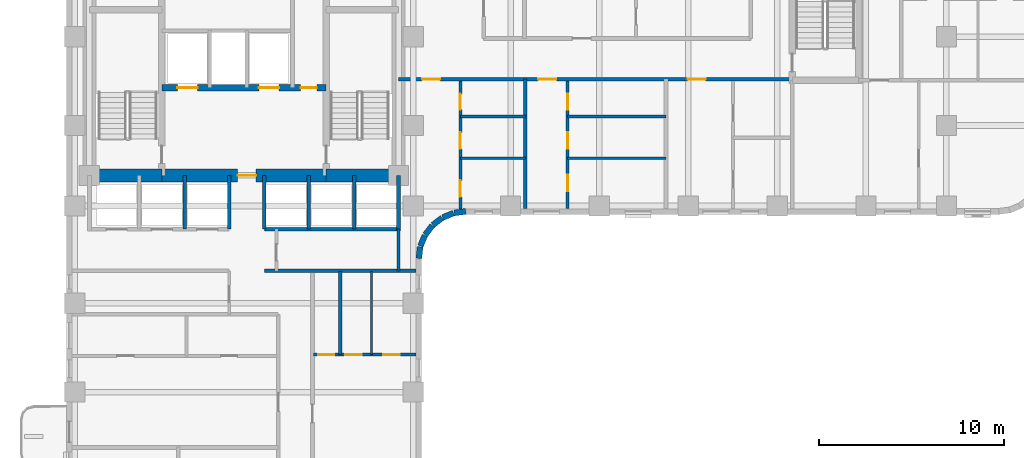
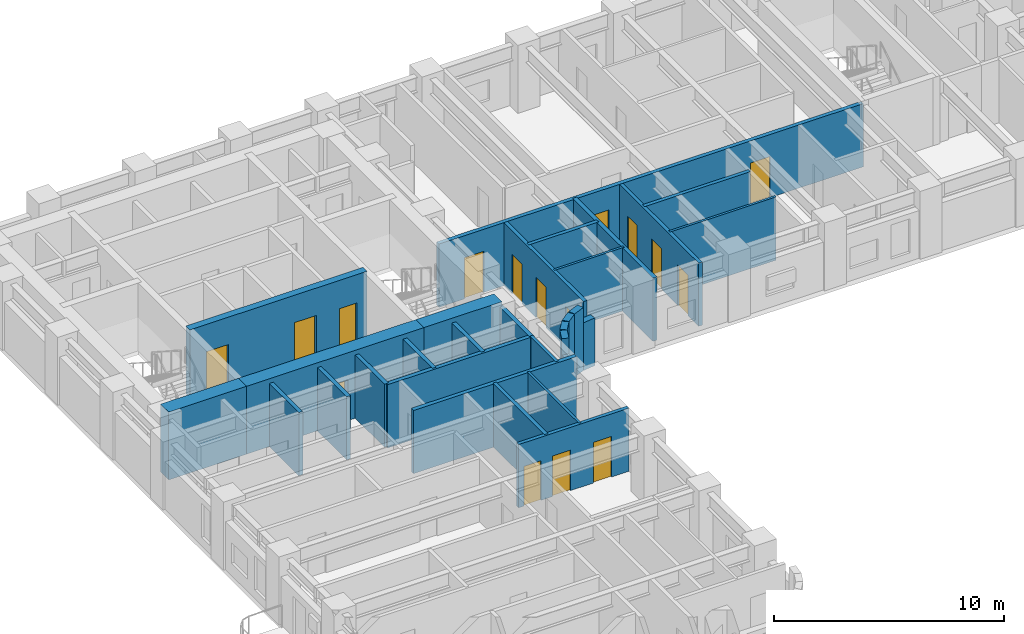
# One storey, part 4 of 11: 30 walls, 16 doors, 16 openings.
"""IFC4 building model written with IfcOpenShell, lengths in metres."""

from ifc_helpers import new_model, si_unit, direction, frame, frame_2d, origin, place, context, subcontext, project, spatial, rectangle, extrude, material, layer, layer_set, type_object, element, fill, save


model = new_model("IFC4")

# Units and contexts
model_context = context("Model", 3, precision=1e-05, world=origin(), true_north=direction((0.0, 1.0)))
body_context = subcontext(model_context, "Body", "Model", "MODEL_VIEW")
ifc_project = project(units=[si_unit("LENGTHUNIT", "METRE"), si_unit("AREAUNIT", "SQUARE_METRE"), si_unit("VOLUMEUNIT", "CUBIC_METRE"), si_unit("PLANEANGLEUNIT", "RADIAN"), si_unit("MASSUNIT", "GRAM", prefix="KILO")], contexts=[model_context])

# Site, building, storey
site_placement = place(None, origin())
site = spatial("IfcSite", under=ifc_project, at=site_placement, CompositionType="ELEMENT")
building_placement = place(site_placement, origin())
building = spatial("IfcBuilding", under=site, at=building_placement, Name="Orvandelia Arch Residences", CompositionType="ELEMENT")
storey_placement = place(building_placement, frame((0.0, 0.0, 46.60009765625)))
storey = spatial("IfcBuildingStorey", under=building, at=storey_placement, Name="L11", CompositionType="ELEMENT", Elevation=46.60009765625)

# Wall, openings, doors
ifc_material_1 = material(Name="Concrete C50/60", Category="concrete")
ifc_layer_1 = layer(ifc_material_1, 0.35009765625, Name="Concrete C50/60", Category="concrete")
ifc_layer_set_1 = layer_set([ifc_layer_1], Name="Concrete C50/60")
wall_type_1 = type_object("IfcWallType", Name="WL-CORE-350", PredefinedType="SHEAR", material=ifc_layer_set_1)
wall_1_placement = place(storey_placement, frame((9.9599609375, 35.64990234375, 0.0), z_axis=(0.0, 0.0, 1.0), x_axis=(1.0, 0.0, 0.0)))
wall_1 = element("IfcWall", 1, at=wall_1_placement, inside=storey, type_object=wall_type_1, Name="Core Shear Wall L11-HZ3", PredefinedType="SHEAR", context=body_context, shape_type="SweptSolid", body=[
    extrude(rectangle(XDim=8.880126953125, YDim=0.35009765625, at=frame_2d((4.43994140625, 0.0))), origin(), (0.0, 0.0, 1.0), 3.599853515625),
])
opening_1_placement = place(wall_1_placement, frame((0.840087890625, 0.0, 0.0)))
opening_1 = element("IfcOpeningElement", 2, at=opening_1_placement, cuts=wall_1, Name="Opening FLD", PredefinedType="OPENING", context=body_context, shape_type="SweptSolid", body=[
    extrude(rectangle(XDim=1.10009765625, YDim=2.14990234375, at=frame_2d((0.550048828125, 1.074951171875))), frame((0.0, 0.18505859375, 0.0), z_axis=(0.0, -1.0, 0.0), x_axis=(1.0, 0.0, 0.0)), (0.0, 0.0, 1.0), 0.3701171875),
])
opening_2_placement = place(wall_1_placement, frame((5.239990234375, 0.0, 0.0)))
opening_2 = element("IfcOpeningElement", 3, at=opening_2_placement, cuts=wall_1, Name="Opening FLD", PredefinedType="OPENING", context=body_context, shape_type="SweptSolid", body=[
    extrude(rectangle(XDim=1.10009765625, YDim=2.14990234375, at=frame_2d((0.550048828125, 1.074951171875))), frame((0.0, 0.18505859375, 0.0), z_axis=(0.0, -1.0, 0.0), x_axis=(1.0, 0.0, 0.0)), (0.0, 0.0, 1.0), 0.3701171875),
])
opening_3_placement = place(wall_1_placement, frame((7.5, 0.0, 0.0)))
opening_3 = element("IfcOpeningElement", 4, at=opening_3_placement, cuts=wall_1, Name="Opening D5", PredefinedType="OPENING", context=body_context, shape_type="SweptSolid", body=[
    extrude(rectangle(XDim=0.8798828125, YDim=2.10009765625, at=frame_2d((0.43994140625, 1.050048828125))), frame((0.0, 0.18505859375, 0.0), z_axis=(0.0, -1.0, 0.0), x_axis=(1.0, 0.0, 0.0)), (0.0, 0.0, 1.0), 0.3701171875),
])
ifc_material_2 = material(Name="Firefighting Lift Stainless Sliding Door")
door_type_1 = type_object("IfcDoorType", Name="DR-FLFT-1100", OperationType="NOTDEFINED", PredefinedType="DOOR", material=ifc_material_2)
door_1_placement = place(opening_1_placement, origin())
door_1 = element("IfcDoor", 5, at=door_1_placement, inside=storey, type_object=door_type_1, Name="Firefighting Lift Landing Door FLD-FL1-L11", OperationType="SLIDING_TO_LEFT", OverallHeight=2.14990234375, OverallWidth=1.10009765625, PredefinedType="DOOR", context=body_context, shape_type="SweptSolid", body=[
    extrude(rectangle(XDim=1.10009765625, YDim=2.14990234375, at=frame_2d((0.550048828125, 1.074951171875))), frame((0.0, 0.02490234375, 0.0), z_axis=(0.0, -1.0, 0.0), x_axis=(1.0, 0.0, 0.0)), (0.0, 0.0, 1.0), 0.050048828125),
])
fill(opening_1, door_1)
door_2_placement = place(opening_2_placement, origin())
door_2 = element("IfcDoor", 6, at=door_2_placement, inside=storey, type_object=door_type_1, Name="Firefighting Lift Landing Door FLD-FL2-L11", OperationType="SLIDING_TO_RIGHT", OverallHeight=2.14990234375, OverallWidth=1.10009765625, PredefinedType="DOOR", context=body_context, shape_type="SweptSolid", body=[
    extrude(rectangle(XDim=1.10009765625, YDim=2.14990234375, at=frame_2d((0.550048828125, 1.074951171875))), frame((0.0, 0.02490234375, 0.0), z_axis=(0.0, -1.0, 0.0), x_axis=(1.0, 0.0, 0.0)), (0.0, 0.0, 1.0), 0.050048828125),
])
fill(opening_2, door_2)
ifc_material_3 = material(Name="Painted Galvanised Steel Service Door", Category="steel")
door_type_2 = type_object("IfcDoorType", Name="DR-SRV-880", OperationType="NOTDEFINED", PredefinedType="DOOR", material=ifc_material_3)
door_3_placement = place(opening_3_placement, origin())
door_3 = element("IfcDoor", 7, at=door_3_placement, inside=storey, type_object=door_type_2, Name="Core Stairway Passage South Fire Door L11", OperationType="SINGLE_SWING_LEFT", OverallHeight=2.10009765625, OverallWidth=0.8798828125, PredefinedType="DOOR", context=body_context, shape_type="SweptSolid", body=[
    extrude(rectangle(XDim=0.8798828125, YDim=2.10009765625, at=frame_2d((0.43994140625, 1.050048828125))), frame((0.0, 0.02490234375, 0.0), z_axis=(0.0, -1.0, 0.0), x_axis=(1.0, 0.0, 0.0)), (0.0, 0.0, 1.0), 0.050048828125),
])
fill(opening_3, door_3)

# Wall
ifc_material_4 = material(Name="Concrete C80/95", Category="concrete")
ifc_layer_2 = layer(ifc_material_4, 0.699951171875, Name="Concrete C80/95", Category="concrete")
ifc_layer_set_2 = layer_set([ifc_layer_2], Name="Concrete C80/95")
wall_type_2 = type_object("IfcWallType", Name="WL-CORE-700", PredefinedType="SHEAR", material=ifc_layer_set_2)
wall_2_placement = place(storey_placement, frame((6.050048828125, 30.89990234375, 0.0), z_axis=(0.0, 0.0, 1.0), x_axis=(1.0, 0.0, 0.0)))
element("IfcWall", 8, at=wall_2_placement, inside=storey, type_object=wall_type_2, Name="Core Shear Wall L11-SW", PredefinedType="SHEAR", context=body_context, shape_type="SweptSolid", body=[
    extrude(rectangle(XDim=3.909912109375, YDim=0.699951171875, at=frame_2d((1.955078125, 0.0))), origin(), (0.0, 0.0, 1.0), 3.599853515625),
])

# Wall, opening, door
wall_3_placement = place(storey_placement, frame((9.9599609375, 30.89990234375, 0.0), z_axis=(0.0, 0.0, 1.0), x_axis=(1.0, 0.0, 0.0)))
wall_3 = element("IfcWall", 9, at=wall_3_placement, inside=storey, type_object=wall_type_2, Name="Core Shear Wall L11-SM", PredefinedType="SHEAR", context=body_context, shape_type="SweptSolid", body=[
    extrude(rectangle(XDim=8.880126953125, YDim=0.699951171875, at=frame_2d((4.43994140625, 0.0))), origin(), (0.0, 0.0, 1.0), 3.599853515625),
])
opening_4_placement = place(wall_3_placement, frame((4.090087890625, 0.0, 0.0)))
opening_4 = element("IfcOpeningElement", 10, at=opening_4_placement, cuts=wall_3, Name="Opening D6", PredefinedType="OPENING", context=body_context, shape_type="SweptSolid", body=[
    extrude(rectangle(XDim=1.0, YDim=2.14990234375, at=frame_2d((0.5, 1.074951171875))), frame((0.0, 0.35986328125, 0.0), z_axis=(0.0, -1.0, 0.0), x_axis=(1.0, 0.0, 0.0)), (0.0, 0.0, 1.0), 0.719970703125),
])
ifc_material_5 = material(Name="Smokeproof Painted Steel Fire Door", Category="steel")
door_type_3 = type_object("IfcDoorType", Name="DR-FD60-1000", OperationType="NOTDEFINED", PredefinedType="DOOR", material=ifc_material_5)
door_4_placement = place(opening_4_placement, origin())
door_4 = element("IfcDoor", 11, at=door_4_placement, inside=storey, type_object=door_type_3, Name="Firefighting Lobby Smokeproof Door L11", OperationType="SINGLE_SWING_LEFT", OverallHeight=2.14990234375, OverallWidth=1.0, PredefinedType="DOOR", context=body_context, shape_type="SweptSolid", body=[
    extrude(rectangle(XDim=1.0, YDim=2.14990234375, at=frame_2d((0.5, 1.074951171875))), frame((0.0, 0.02490234375, 0.0), z_axis=(0.0, -1.0, 0.0), x_axis=(1.0, 0.0, 0.0)), (0.0, 0.0, 1.0), 0.050048828125),
])
fill(opening_4, door_4)

# Walls
wall_4_placement = place(storey_placement, frame((18.840087890625, 30.89990234375, 0.0), z_axis=(0.0, 0.0, 1.0), x_axis=(1.0, 0.0, 0.0)))
element("IfcWall", 12, at=wall_4_placement, inside=storey, type_object=wall_type_2, Name="Core Shear Wall L11-SE", PredefinedType="SHEAR", context=body_context, shape_type="SweptSolid", body=[
    extrude(rectangle(XDim=3.909912109375, YDim=0.699951171875, at=frame_2d((1.955078125, 0.0))), origin(), (0.0, 0.0, 1.0), 3.599853515625),
])
ifc_material_6 = material(Name="Fire-Rated Corridor Partition")
ifc_layer_3 = layer(ifc_material_6, 0.199951171875, Name="Fire-Rated Corridor Partition")
ifc_layer_set_3 = layer_set([ifc_layer_3], Name="Fire-Rated Corridor Partition")
wall_type_3 = type_object("IfcWallType", Name="WL-CORR-200", PredefinedType="PARTITIONING", material=ifc_layer_set_3)
wall_5_placement = place(storey_placement, frame((15.5, 25.75, 0.0), z_axis=(0.0, 0.0, 1.0), x_axis=(1.0, 0.0, 0.0)))
element("IfcWall", 13, at=wall_5_placement, inside=storey, type_object=wall_type_3, Name="Interior Partition Wall WL-L11-WLNK-NE", PredefinedType="PARTITIONING", context=body_context, shape_type="SweptSolid", body=[
    extrude(rectangle(XDim=8.179931640625, YDim=0.199951171875, at=frame_2d((4.08984375, 0.0))), origin(), (0.0, 0.0, 1.0), 3.349853515625),
])

# Wall, openings, doors
wall_6_placement = place(storey_placement, frame((22.75, 36.10009765625, 0.0), z_axis=(0.0, 0.0, 1.0), x_axis=(1.0, 0.0, 0.0)))
wall_6 = element("IfcWall", 14, at=wall_6_placement, inside=storey, type_object=wall_type_3, Name="Interior Partition Wall WL-L11-EM-S1", PredefinedType="PARTITIONING", context=body_context, shape_type="SweptSolid", body=[
    extrude(rectangle(XDim=21.27001953125, YDim=0.199951171875, at=frame_2d((10.635009765625, 0.0))), origin(), (0.0, 0.0, 1.0), 3.349853515625),
])
opening_5_placement = place(wall_6_placement, frame((1.271484375, 0.0, 0.0)))
opening_5 = element("IfcOpeningElement", 15, at=opening_5_placement, cuts=wall_6, Name="Opening D1", PredefinedType="OPENING", context=body_context, shape_type="SweptSolid", body=[
    extrude(rectangle(XDim=0.97998046875, YDim=2.179931640625, at=frame_2d((0.489990234375, 1.08984375))), frame((0.0, 0.10986328125, 0.0), z_axis=(0.0, -1.0, 0.0), x_axis=(1.0, 0.0, 0.0)), (0.0, 0.0, 1.0), 0.219970703125),
])
opening_6_placement = place(wall_6_placement, frame((7.5400390625, 0.0, 0.0)))
opening_6 = element("IfcOpeningElement", 16, at=opening_6_placement, cuts=wall_6, Name="Opening D1", PredefinedType="OPENING", context=body_context, shape_type="SweptSolid", body=[
    extrude(rectangle(XDim=0.97998046875, YDim=2.179931640625, at=frame_2d((0.489990234375, 1.08984375))), frame((0.0, 0.10986328125, 0.0), z_axis=(0.0, -1.0, 0.0), x_axis=(1.0, 0.0, 0.0)), (0.0, 0.0, 1.0), 0.219970703125),
])
opening_7_placement = place(wall_6_placement, frame((15.614501953125, 0.0, 0.0)))
opening_7 = element("IfcOpeningElement", 17, at=opening_7_placement, cuts=wall_6, Name="Opening D1", PredefinedType="OPENING", context=body_context, shape_type="SweptSolid", body=[
    extrude(rectangle(XDim=0.97998046875, YDim=2.179931640625, at=frame_2d((0.489990234375, 1.08984375))), frame((0.0, 0.10986328125, 0.0), z_axis=(0.0, -1.0, 0.0), x_axis=(1.0, 0.0, 0.0)), (0.0, 0.0, 1.0), 0.219970703125),
])
ifc_material_7 = material(Name="Solid-Core Timber Acoustic Fire Door", Category="wood")
door_type_4 = type_object("IfcDoorType", Name="DR-ENT-980", OperationType="NOTDEFINED", PredefinedType="DOOR", material=ifc_material_7)
door_5_placement = place(opening_5_placement, origin())
door_5 = element("IfcDoor", 18, at=door_5_placement, inside=storey, type_object=door_type_4, Name="Unit L11-06 Entrance Door", OperationType="SINGLE_SWING_RIGHT", OverallHeight=2.179931640625, OverallWidth=0.97998046875, PredefinedType="DOOR", context=body_context, shape_type="SweptSolid", body=[
    extrude(rectangle(XDim=0.97998046875, YDim=2.179931640625, at=frame_2d((0.489990234375, 1.08984375))), frame((0.0, 0.02490234375, 0.0), z_axis=(0.0, -1.0, 0.0), x_axis=(1.0, 0.0, 0.0)), (0.0, 0.0, 1.0), 0.050048828125),
])
fill(opening_5, door_5)
door_6_placement = place(opening_6_placement, origin())
door_6 = element("IfcDoor", 19, at=door_6_placement, inside=storey, type_object=door_type_4, Name="Unit L11-07 Entrance Door", OperationType="SINGLE_SWING_LEFT", OverallHeight=2.179931640625, OverallWidth=0.97998046875, PredefinedType="DOOR", context=body_context, shape_type="SweptSolid", body=[
    extrude(rectangle(XDim=0.97998046875, YDim=2.179931640625, at=frame_2d((0.489990234375, 1.08984375))), frame((0.0, 0.02490234375, 0.0), z_axis=(0.0, -1.0, 0.0), x_axis=(1.0, 0.0, 0.0)), (0.0, 0.0, 1.0), 0.050048828125),
])
fill(opening_6, door_6)
door_7_placement = place(opening_7_placement, origin())
door_7 = element("IfcDoor", 20, at=door_7_placement, inside=storey, type_object=door_type_4, Name="Unit L11-08 Entrance Door", OperationType="SINGLE_SWING_RIGHT", OverallHeight=2.179931640625, OverallWidth=0.97998046875, PredefinedType="DOOR", context=body_context, shape_type="SweptSolid", body=[
    extrude(rectangle(XDim=0.97998046875, YDim=2.179931640625, at=frame_2d((0.489990234375, 1.08984375))), frame((0.0, 0.02490234375, 0.0), z_axis=(0.0, -1.0, 0.0), x_axis=(1.0, 0.0, 0.0)), (0.0, 0.0, 1.0), 0.050048828125),
])
fill(opening_7, door_7)

# Walls
ifc_material_8 = material(Name="Concrete C40/50", Category="concrete")
ifc_layer_4 = layer(ifc_material_8, 0.199951171875, Name="Concrete C40/50", Category="concrete")
ifc_layer_set_4 = layer_set([ifc_layer_4], Name="Concrete C40/50")
wall_type_4 = type_object("IfcWallType", Name="WL-DEM-200", PredefinedType="SOLIDWALL", material=ifc_layer_set_4)
wall_7_placement = place(storey_placement, frame((29.60009765625, 29.1201171875, 0.0), z_axis=(0.0, 0.0, 1.0), x_axis=(0.0, 1.0, 0.0)))
element("IfcWall", 21, at=wall_7_placement, inside=storey, type_object=wall_type_4, Name="Interior Partition Wall WL-L11-DEM-EMS-296", PredefinedType="SOLIDWALL", context=body_context, shape_type="SweptSolid", body=[
    extrude(rectangle(XDim=6.97998046875, YDim=0.199951171875, at=frame_2d((3.489990234375, 0.0))), origin(), (0.0, 0.0, 1.0), 3.349853515625),
])
ifc_material_9 = material(Name="Precast concrete C40/50", Category="concrete")
ifc_layer_5 = layer(ifc_material_9, 0.320068359375, Name="Precast concrete C40/50", Category="concrete")
ifc_layer_set_5 = layer_set([ifc_layer_5], Name="Precast concrete C40/50")
wall_type_5 = type_object("IfcWallType", Name="WL-EXT-STONE-320", PredefinedType="STANDARD", material=ifc_layer_set_5)
wall_8_placement = place(storey_placement, frame((26.379150390625, 28.95849609375, 0.0), z_axis=(0.0, 0.0, 1.0), x_axis=(-0.991447664465, -0.130504898859, 0.0)))
element("IfcWall", 22, at=wall_8_placement, inside=storey, type_object=wall_type_5, Name="Coral-Limestone Precast Facade Wall L11-022", PredefinedType="STANDARD", context=body_context, shape_type="SweptSolid", body=[
    extrude(rectangle(XDim=0.626708984375, YDim=0.320068359375, at=frame_2d((0.3134765625, 0.0))), origin(), (0.0, 0.0, 1.0), 2.52978515625),
])
wall_9_placement = place(storey_placement, frame((25.717529296875, 28.865966796875, 0.0), z_axis=(0.0, 0.0, 1.0), x_axis=(-0.923836271867, -0.382787856107, 0.0)))
element("IfcWall", 23, at=wall_9_placement, inside=storey, type_object=wall_type_5, Name="Coral-Limestone Precast Facade Wall L11-023", PredefinedType="STANDARD", context=body_context, shape_type="SweptSolid", body=[
    extrude(rectangle(XDim=0.626220703125, YDim=0.320068359375, at=frame_2d((0.31298828125, 0.0))), origin(), (0.0, 0.0, 1.0), 3.349853515625),
])
for number, where, z_axis, x_axis, name in (
    (24, (25.1025390625, 28.60546875, 0.0), (0.0, 0.0, 1.0), (-0.793405610854, -0.608693302629, 0.0), "Coral-Limestone Precast Facade Wall L11-024"),
    (25, (24.575927734375, 28.194580078125, 0.0), (0.0, 0.0, 1.0), (-0.608693302629, -0.793405610854, 0.0), "Coral-Limestone Precast Facade Wall L11-025"),
):
    element("IfcWall", number, at=place(storey_placement, frame(where, z_axis=z_axis, x_axis=x_axis)), inside=storey, type_object=wall_type_5, Name=name, PredefinedType="STANDARD", context=body_context, shape_type="SweptSolid", body=[
        extrude(rectangle(XDim=0.62646484375, YDim=0.320068359375, at=frame_2d((0.313232421875, 0.0))), origin(), (0.0, 0.0, 1.0), 3.349853515625),
    ])
wall_10_placement = place(storey_placement, frame((24.173583984375, 27.6611328125, 0.0), z_axis=(0.0, 0.0, 1.0), x_axis=(-0.382455093999, -0.923974080304, 0.0)))
element("IfcWall", 26, at=wall_10_placement, inside=storey, type_object=wall_type_5, Name="Coral-Limestone Precast Facade Wall L11-026", PredefinedType="STANDARD", context=body_context, shape_type="SweptSolid", body=[
    extrude(rectangle(XDim=0.626220703125, YDim=0.320068359375, at=frame_2d((0.31298828125, 0.0))), origin(), (0.0, 0.0, 1.0), 3.349853515625),
])
wall_11_placement = place(storey_placement, frame((23.923095703125, 27.0419921875, 0.0), z_axis=(0.0, 0.0, 1.0), x_axis=(-0.130555323746, -0.9914410257, 0.0)))
element("IfcWall", 27, at=wall_11_placement, inside=storey, type_object=wall_type_5, Name="Coral-Limestone Precast Facade Wall L11-027", PredefinedType="STANDARD", context=body_context, shape_type="SweptSolid", body=[
    extrude(rectangle(XDim=0.62646484375, YDim=0.320068359375, at=frame_2d((0.313232421875, 0.0))), origin(), (0.0, 0.0, 1.0), 2.52978515625),
])
ifc_material_10 = material(Name="Lightweight Gypsum Stud Partition")
ifc_layer_6 = layer(ifc_material_10, 0.1201171875, Name="Lightweight Gypsum Stud Partition")
ifc_layer_set_6 = layer_set([ifc_layer_6], Name="Lightweight Gypsum Stud Partition")
wall_type_6 = type_object("IfcWallType", Name="WL-PART-120", PredefinedType="PARTITIONING", material=ifc_layer_set_6)
wall_12_placement = place(storey_placement, frame((21.284912109375, 21.22412109375, 0.0), z_axis=(0.0, 0.0, 1.0), x_axis=(0.0, 1.0, 0.0)))
element("IfcWall", 28, at=wall_12_placement, inside=storey, type_object=wall_type_6, Name="Interior Partition Wall WL-L11-U05-V2", PredefinedType="PARTITIONING", context=body_context, shape_type="SweptSolid", body=[
    extrude(rectangle(XDim=4.495849609375, YDim=0.1201171875, at=frame_2d((2.248046875, 0.0))), origin(), (0.0, 0.0, 1.0), 3.349853515625),
])
wall_13_placement = place(storey_placement, frame((26.093017578125, 31.8359375, 0.0), z_axis=(0.0, 0.0, 1.0), x_axis=(1.0, 0.0, 0.0)))
element("IfcWall", 29, at=wall_13_placement, inside=storey, type_object=wall_type_6, Name="Interior Partition Wall WL-L11-U06-H1", PredefinedType="PARTITIONING", context=body_context, shape_type="SweptSolid", body=[
    extrude(rectangle(XDim=3.507080078125, YDim=0.1201171875, at=frame_2d((1.75341796875, 0.0))), origin(), (0.0, 0.0, 1.0), 3.349853515625),
])
wall_14_placement = place(storey_placement, frame((31.8798828125, 31.8359375, 0.0), z_axis=(0.0, 0.0, 1.0), x_axis=(1.0, 0.0, 0.0)))
element("IfcWall", 30, at=wall_14_placement, inside=storey, type_object=wall_type_6, Name="Interior Partition Wall WL-L11-U07-H1", PredefinedType="PARTITIONING", context=body_context, shape_type="SweptSolid", body=[
    extrude(rectangle(XDim=5.320068359375, YDim=0.1201171875, at=frame_2d((2.66015625, 0.0))), origin(), (0.0, 0.0, 1.0), 3.349853515625),
])
ifc_material_11 = material(Name="Acoustic Gypsum Stud Partition")
ifc_layer_7 = layer(ifc_material_11, 0.14990234375, Name="Acoustic Gypsum Stud Partition")
ifc_layer_set_7 = layer_set([ifc_layer_7], Name="Acoustic Gypsum Stud Partition")
wall_type_7 = type_object("IfcWallType", Name="WL-PART-150", PredefinedType="PARTITIONING", material=ifc_layer_set_7)
wall_15_placement = place(storey_placement, frame((22.75, 25.75, 0.0), z_axis=(0.0, 0.0, 1.0), x_axis=(0.0, 1.0, 0.0)))
element("IfcWall", 31, at=wall_15_placement, inside=storey, type_object=wall_type_7, Name="Interior Partition Wall WL-L11-HLS-EE", PredefinedType="PARTITIONING", context=body_context, shape_type="SweptSolid", body=[
    extrude(rectangle(XDim=2.25, YDim=0.14990234375, at=frame_2d((1.125, 0.0))), origin(), (0.0, 0.0, 1.0), 3.349853515625),
])
ifc_material_12 = material(Name="Fire-Rated Shaft Enclosure Wall")
ifc_layer_8 = layer(ifc_material_12, 0.199951171875, Name="Fire-Rated Shaft Enclosure Wall")
ifc_layer_set_8 = layer_set([ifc_layer_8], Name="Fire-Rated Shaft Enclosure Wall")
wall_type_8 = type_object("IfcWallType", Name="WL-SHAFT-200", PredefinedType="POLYGONAL", material=ifc_layer_set_8)
wall_16_placement = place(storey_placement, frame((15.5, 28.0, 0.0), z_axis=(0.0, 0.0, 1.0), x_axis=(1.0, 0.0, 0.0)))
element("IfcWall", 32, at=wall_16_placement, inside=storey, type_object=wall_type_8, Name="Interior Partition Wall WL-L11-BNKM-S", PredefinedType="POLYGONAL", context=body_context, shape_type="SweptSolid", body=[
    extrude(rectangle(XDim=7.25, YDim=0.199951171875, at=frame_2d((3.625, 0.0))), origin(), (0.0, 0.0, 1.0), 3.349853515625),
])
wall_17_placement = place(storey_placement, frame((22.75, 27.89990234375, 0.0), z_axis=(0.0, 0.0, 1.0), x_axis=(0.0, 1.0, 0.0)))
element("IfcWall", 33, at=wall_17_placement, inside=storey, type_object=wall_type_8, Name="Interior Partition Wall WL-L11-BNKM-E", PredefinedType="POLYGONAL", context=body_context, shape_type="SweptSolid", body=[
    extrude(rectangle(XDim=3.0, YDim=0.199951171875, at=frame_2d((1.5, 0.0))), origin(), (0.0, 0.0, 1.0), 3.349853515625),
])
for number, where, z_axis, x_axis, name in (
    (34, (13.60009765625, 28.0, 0.0), (0.0, 0.0, 1.0), (0.0, 1.0, 0.0), "Interior Partition Wall WL-L11-BNKL-E"),
    (35, (15.5, 28.0, 0.0), (0.0, 0.0, 1.0), (0.0, 1.0, 0.0), "Interior Partition Wall WL-L11-BNKM-W"),
    (36, (11.199951171875, 28.0, 0.0), (0.0, 0.0, 1.0), (0.0, 1.0, 0.0), "Interior Partition Wall WL-L11-BNKD-1120"),
    (37, (17.89990234375, 28.0, 0.0), (0.0, 0.0, 1.0), (0.0, 1.0, 0.0), "Interior Partition Wall WL-L11-BNKD-1789"),
    (38, (20.35009765625, 28.0, 0.0), (0.0, 0.0, 1.0), (0.0, 1.0, 0.0), "Interior Partition Wall WL-L11-BNKD-2035"),
):
    element("IfcWall", number, at=place(storey_placement, frame(where, z_axis=z_axis, x_axis=x_axis)), inside=storey, type_object=wall_type_8, Name=name, PredefinedType="POLYGONAL", context=body_context, shape_type="SweptSolid", body=[
        extrude(rectangle(XDim=2.89990234375, YDim=0.199951171875, at=frame_2d((1.449951171875, 0.0))), origin(), (0.0, 0.0, 1.0), 3.349853515625),
    ])

# Wall, openings, doors
ifc_material_13 = material(Name="Moisture-Resistant Plumbing Wall")
ifc_layer_9 = layer(ifc_material_13, 0.179931640625, Name="Moisture-Resistant Plumbing Wall")
ifc_layer_set_9 = layer_set([ifc_layer_9], Name="Moisture-Resistant Plumbing Wall")
wall_type_9 = type_object("IfcWallType", Name="WL-WET-180", PredefinedType="PLUMBINGWALL", material=ifc_layer_set_9)
wall_18_placement = place(storey_placement, frame((18.159912109375, 21.22412109375, 0.0), z_axis=(0.0, 0.0, 1.0), x_axis=(1.0, 0.0, 0.0)))
wall_18 = element("IfcWall", 39, at=wall_18_placement, inside=storey, type_object=wall_type_9, Name="Interior Partition Wall WL-L11-U05-HZ", PredefinedType="PLUMBINGWALL", context=body_context, shape_type="SweptSolid", body=[
    extrude(rectangle(XDim=5.52001953125, YDim=0.179931640625, at=frame_2d((2.760009765625, 0.0))), origin(), (0.0, 0.0, 1.0), 3.349853515625),
])
opening_8_placement = place(wall_18_placement, frame((0.260009765625, 0.0, 0.0)))
opening_8 = element("IfcOpeningElement", 40, at=opening_8_placement, cuts=wall_18, Name="Opening D4", PredefinedType="OPENING", context=body_context, shape_type="SweptSolid", body=[
    extrude(rectangle(XDim=0.860107421875, YDim=2.10009765625, at=frame_2d((0.43017578125, 1.050048828125))), frame((0.0, 0.10009765625, 0.0), z_axis=(0.0, -1.0, 0.0), x_axis=(1.0, 0.0, 0.0)), (0.0, 0.0, 1.0), 0.199951171875),
])
opening_9_placement = place(wall_18_placement, frame((1.697998046875, 0.0, 0.0)))
opening_9 = element("IfcOpeningElement", 41, at=opening_9_placement, cuts=wall_18, Name="Opening D3", PredefinedType="OPENING", context=body_context, shape_type="SweptSolid", body=[
    extrude(rectangle(XDim=0.89990234375, YDim=2.14990234375, at=frame_2d((0.449951171875, 1.074951171875))), frame((0.0, 0.10009765625, 0.0), z_axis=(0.0, -1.0, 0.0), x_axis=(1.0, 0.0, 0.0)), (0.0, 0.0, 1.0), 0.199951171875),
])
opening_10_placement = place(wall_18_placement, frame((3.757080078125, 0.0, 0.0)))
opening_10 = element("IfcOpeningElement", 42, at=opening_10_placement, cuts=wall_18, Name="Opening D3", PredefinedType="OPENING", context=body_context, shape_type="SweptSolid", body=[
    extrude(rectangle(XDim=0.89990234375, YDim=2.14990234375, at=frame_2d((0.449951171875, 1.074951171875))), frame((0.0, 0.10009765625, 0.0), z_axis=(0.0, -1.0, 0.0), x_axis=(1.0, 0.0, 0.0)), (0.0, 0.0, 1.0), 0.199951171875),
])
ifc_material_14 = material(Name="Engineered Timber Flush Door", Category="wood")
door_type_5 = type_object("IfcDoorType", Name="DR-INT-900", OperationType="NOTDEFINED", PredefinedType="DOOR", material=ifc_material_14)
door_8_placement = place(opening_9_placement, origin())
door_8 = element("IfcDoor", 43, at=door_8_placement, inside=storey, type_object=door_type_5, Name="DR-L11-U05-KIT", OperationType="SINGLE_SWING_LEFT", OverallHeight=2.14990234375, OverallWidth=0.89990234375, PredefinedType="DOOR", context=body_context, shape_type="SweptSolid", body=[
    extrude(rectangle(XDim=0.89990234375, YDim=2.14990234375, at=frame_2d((0.449951171875, 1.074951171875))), frame((0.0, 0.02490234375, 0.0), z_axis=(0.0, -1.0, 0.0), x_axis=(1.0, 0.0, 0.0)), (0.0, 0.0, 1.0), 0.050048828125),
])
fill(opening_9, door_8)
door_9_placement = place(opening_10_placement, origin())
door_9 = element("IfcDoor", 44, at=door_9_placement, inside=storey, type_object=door_type_5, Name="DR-L11-U05-BD1", OperationType="SINGLE_SWING_RIGHT", OverallHeight=2.14990234375, OverallWidth=0.89990234375, PredefinedType="DOOR", context=body_context, shape_type="SweptSolid", body=[
    extrude(rectangle(XDim=0.89990234375, YDim=2.14990234375, at=frame_2d((0.449951171875, 1.074951171875))), frame((0.0, 0.02490234375, 0.0), z_axis=(0.0, -1.0, 0.0), x_axis=(1.0, 0.0, 0.0)), (0.0, 0.0, 1.0), 0.050048828125),
])
fill(opening_10, door_9)
ifc_material_15 = material(Name="Moisture-Sealed Timber Bathroom Door", Category="wood")
door_type_6 = type_object("IfcDoorType", Name="DR-WET-900", OperationType="NOTDEFINED", PredefinedType="DOOR", material=ifc_material_15)
door_10_placement = place(opening_8_placement, origin())
door_10 = element("IfcDoor", 45, at=door_10_placement, inside=storey, type_object=door_type_6, Name="DR-L11-U05-BTH", OperationType="SINGLE_SWING_RIGHT", OverallHeight=2.10009765625, OverallWidth=0.860107421875, PredefinedType="DOOR", context=body_context, shape_type="SweptSolid", body=[
    extrude(rectangle(XDim=0.860107421875, YDim=2.10009765625, at=frame_2d((0.43017578125, 1.050048828125))), frame((0.0, 0.02490234375, 0.0), z_axis=(0.0, -1.0, 0.0), x_axis=(1.0, 0.0, 0.0)), (0.0, 0.0, 1.0), 0.050048828125),
])
fill(opening_8, door_10)

# Wall
wall_19_placement = place(storey_placement, frame((19.597900390625, 21.22412109375, 0.0), z_axis=(0.0, 0.0, 1.0), x_axis=(0.0, 1.0, 0.0)))
element("IfcWall", 46, at=wall_19_placement, inside=storey, type_object=wall_type_9, Name="Interior Partition Wall WL-L11-U05-V1", PredefinedType="PLUMBINGWALL", context=body_context, shape_type="SweptSolid", body=[
    extrude(rectangle(XDim=4.495849609375, YDim=0.179931640625, at=frame_2d((2.248046875, 0.0))), origin(), (0.0, 0.0, 1.0), 3.349853515625),
])

# Wall, openings, doors
wall_20_placement = place(storey_placement, frame((26.093017578125, 29.10009765625, 0.0), z_axis=(0.0, 0.0, 1.0), x_axis=(0.0, 1.0, 0.0)))
wall_20 = element("IfcWall", 47, at=wall_20_placement, inside=storey, type_object=wall_type_9, Name="Interior Partition Wall WL-L11-U06-VT", PredefinedType="PLUMBINGWALL", context=body_context, shape_type="SweptSolid", body=[
    extrude(rectangle(XDim=6.89990234375, YDim=0.179931640625, at=frame_2d((3.449951171875, 0.0))), origin(), (0.0, 0.0, 1.0), 3.349853515625),
])
opening_11_placement = place(wall_20_placement, frame((0.63671875, 0.0, 0.0)))
opening_11 = element("IfcOpeningElement", 48, at=opening_11_placement, cuts=wall_20, Name="Opening D3", PredefinedType="OPENING", context=body_context, shape_type="SweptSolid", body=[
    extrude(rectangle(XDim=0.89990234375, YDim=2.14990234375, at=frame_2d((0.449951171875, 1.074951171875))), frame((0.0, 0.10009765625, 0.0), z_axis=(0.0, -1.0, 0.0), x_axis=(1.0, 0.0, 0.0)), (0.0, 0.0, 1.0), 0.199951171875),
])
opening_12_placement = place(wall_20_placement, frame((3.23046875, 0.0, 0.0)))
opening_12 = element("IfcOpeningElement", 49, at=opening_12_placement, cuts=wall_20, Name="Opening D3", PredefinedType="OPENING", context=body_context, shape_type="SweptSolid", body=[
    extrude(rectangle(XDim=0.89990234375, YDim=2.14990234375, at=frame_2d((0.449951171875, 1.074951171875))), frame((0.0, 0.10009765625, 0.0), z_axis=(0.0, -1.0, 0.0), x_axis=(1.0, 0.0, 0.0)), (0.0, 0.0, 1.0), 0.199951171875),
])
opening_13_placement = place(wall_20_placement, frame((5.351806640625, 0.0, 0.0)))
opening_13 = element("IfcOpeningElement", 50, at=opening_13_placement, cuts=wall_20, Name="Opening D4", PredefinedType="OPENING", context=body_context, shape_type="SweptSolid", body=[
    extrude(rectangle(XDim=0.860107421875, YDim=2.10009765625, at=frame_2d((0.43017578125, 1.050048828125))), frame((0.0, 0.10009765625, 0.0), z_axis=(0.0, -1.0, 0.0), x_axis=(1.0, 0.0, 0.0)), (0.0, 0.0, 1.0), 0.199951171875),
])
door_11_placement = place(opening_11_placement, origin())
door_11 = element("IfcDoor", 51, at=door_11_placement, inside=storey, type_object=door_type_5, Name="DR-L11-U06-BD1", OperationType="SINGLE_SWING_RIGHT", OverallHeight=2.14990234375, OverallWidth=0.89990234375, PredefinedType="DOOR", context=body_context, shape_type="SweptSolid", body=[
    extrude(rectangle(XDim=0.89990234375, YDim=2.14990234375, at=frame_2d((0.449951171875, 1.074951171875))), frame((0.0, 0.02490234375, 0.0), z_axis=(0.0, -1.0, 0.0), x_axis=(1.0, 0.0, 0.0)), (0.0, 0.0, 1.0), 0.050048828125),
])
fill(opening_11, door_11)
door_12_placement = place(opening_12_placement, origin())
door_12 = element("IfcDoor", 52, at=door_12_placement, inside=storey, type_object=door_type_5, Name="DR-L11-U06-KIT", OperationType="SINGLE_SWING_LEFT", OverallHeight=2.14990234375, OverallWidth=0.89990234375, PredefinedType="DOOR", context=body_context, shape_type="SweptSolid", body=[
    extrude(rectangle(XDim=0.89990234375, YDim=2.14990234375, at=frame_2d((0.449951171875, 1.074951171875))), frame((0.0, 0.02490234375, 0.0), z_axis=(0.0, -1.0, 0.0), x_axis=(1.0, 0.0, 0.0)), (0.0, 0.0, 1.0), 0.050048828125),
])
fill(opening_12, door_12)
door_13_placement = place(opening_13_placement, origin())
door_13 = element("IfcDoor", 53, at=door_13_placement, inside=storey, type_object=door_type_6, Name="DR-L11-U06-BTH", OperationType="SINGLE_SWING_RIGHT", OverallHeight=2.10009765625, OverallWidth=0.860107421875, PredefinedType="DOOR", context=body_context, shape_type="SweptSolid", body=[
    extrude(rectangle(XDim=0.860107421875, YDim=2.10009765625, at=frame_2d((0.43017578125, 1.050048828125))), frame((0.0, 0.02490234375, 0.0), z_axis=(0.0, -1.0, 0.0), x_axis=(1.0, 0.0, 0.0)), (0.0, 0.0, 1.0), 0.050048828125),
])
fill(opening_13, door_13)

# Wall
wall_21_placement = place(storey_placement, frame((26.093017578125, 34.0849609375, 0.0), z_axis=(0.0, 0.0, 1.0), x_axis=(1.0, 0.0, 0.0)))
element("IfcWall", 54, at=wall_21_placement, inside=storey, type_object=wall_type_9, Name="Interior Partition Wall WL-L11-U06-H2", PredefinedType="PLUMBINGWALL", context=body_context, shape_type="SweptSolid", body=[
    extrude(rectangle(XDim=3.507080078125, YDim=0.179931640625, at=frame_2d((1.75341796875, 0.0))), origin(), (0.0, 0.0, 1.0), 3.349853515625),
])

# Wall, openings, doors
wall_22_placement = place(storey_placement, frame((31.8798828125, 29.1201171875, 0.0), z_axis=(0.0, 0.0, 1.0), x_axis=(0.0, 1.0, 0.0)))
wall_22 = element("IfcWall", 55, at=wall_22_placement, inside=storey, type_object=wall_type_9, Name="Interior Partition Wall WL-L11-U07-VT", PredefinedType="PLUMBINGWALL", context=body_context, shape_type="SweptSolid", body=[
    extrude(rectangle(XDim=6.8798828125, YDim=0.179931640625, at=frame_2d((3.43994140625, 0.0))), origin(), (0.0, 0.0, 1.0), 3.349853515625),
])
opening_14_placement = place(wall_22_placement, frame((0.916748046875, 0.0, 0.0)))
opening_14 = element("IfcOpeningElement", 56, at=opening_14_placement, cuts=wall_22, Name="Opening D3", PredefinedType="OPENING", context=body_context, shape_type="SweptSolid", body=[
    extrude(rectangle(XDim=0.89990234375, YDim=2.14990234375, at=frame_2d((0.449951171875, 1.074951171875))), frame((0.0, 0.10009765625, 0.0), z_axis=(0.0, -1.0, 0.0), x_axis=(1.0, 0.0, 0.0)), (0.0, 0.0, 1.0), 0.199951171875),
])
opening_15_placement = place(wall_22_placement, frame((3.21044921875, 0.0, 0.0)))
opening_15 = element("IfcOpeningElement", 57, at=opening_15_placement, cuts=wall_22, Name="Opening D3", PredefinedType="OPENING", context=body_context, shape_type="SweptSolid", body=[
    extrude(rectangle(XDim=0.89990234375, YDim=2.14990234375, at=frame_2d((0.449951171875, 1.074951171875))), frame((0.0, 0.10009765625, 0.0), z_axis=(0.0, -1.0, 0.0), x_axis=(1.0, 0.0, 0.0)), (0.0, 0.0, 1.0), 0.199951171875),
])
opening_16_placement = place(wall_22_placement, frame((5.331787109375, 0.0, 0.0)))
opening_16 = element("IfcOpeningElement", 58, at=opening_16_placement, cuts=wall_22, Name="Opening D4", PredefinedType="OPENING", context=body_context, shape_type="SweptSolid", body=[
    extrude(rectangle(XDim=0.860107421875, YDim=2.10009765625, at=frame_2d((0.43017578125, 1.050048828125))), frame((0.0, 0.10009765625, 0.0), z_axis=(0.0, -1.0, 0.0), x_axis=(1.0, 0.0, 0.0)), (0.0, 0.0, 1.0), 0.199951171875),
])
door_14_placement = place(opening_14_placement, origin())
door_14 = element("IfcDoor", 59, at=door_14_placement, inside=storey, type_object=door_type_5, Name="DR-L11-U07-BD1", OperationType="SINGLE_SWING_LEFT", OverallHeight=2.14990234375, OverallWidth=0.89990234375, PredefinedType="DOOR", context=body_context, shape_type="SweptSolid", body=[
    extrude(rectangle(XDim=0.89990234375, YDim=2.14990234375, at=frame_2d((0.449951171875, 1.074951171875))), frame((0.0, 0.02490234375, 0.0), z_axis=(0.0, -1.0, 0.0), x_axis=(1.0, 0.0, 0.0)), (0.0, 0.0, 1.0), 0.050048828125),
])
fill(opening_14, door_14)
door_15_placement = place(opening_15_placement, origin())
door_15 = element("IfcDoor", 60, at=door_15_placement, inside=storey, type_object=door_type_5, Name="DR-L11-U07-KIT", OperationType="SINGLE_SWING_RIGHT", OverallHeight=2.14990234375, OverallWidth=0.89990234375, PredefinedType="DOOR", context=body_context, shape_type="SweptSolid", body=[
    extrude(rectangle(XDim=0.89990234375, YDim=2.14990234375, at=frame_2d((0.449951171875, 1.074951171875))), frame((0.0, 0.02490234375, 0.0), z_axis=(0.0, -1.0, 0.0), x_axis=(1.0, 0.0, 0.0)), (0.0, 0.0, 1.0), 0.050048828125),
])
fill(opening_15, door_15)
door_16_placement = place(opening_16_placement, origin())
door_16 = element("IfcDoor", 61, at=door_16_placement, inside=storey, type_object=door_type_6, Name="DR-L11-U07-BTH", OperationType="SINGLE_SWING_LEFT", OverallHeight=2.10009765625, OverallWidth=0.860107421875, PredefinedType="DOOR", context=body_context, shape_type="SweptSolid", body=[
    extrude(rectangle(XDim=0.860107421875, YDim=2.10009765625, at=frame_2d((0.43017578125, 1.050048828125))), frame((0.0, 0.02490234375, 0.0), z_axis=(0.0, -1.0, 0.0), x_axis=(1.0, 0.0, 0.0)), (0.0, 0.0, 1.0), 0.050048828125),
])
fill(opening_16, door_16)

# Wall
wall_23_placement = place(storey_placement, frame((31.8798828125, 34.0849609375, 0.0), z_axis=(0.0, 0.0, 1.0), x_axis=(1.0, 0.0, 0.0)))
element("IfcWall", 62, at=wall_23_placement, inside=storey, type_object=wall_type_9, Name="Interior Partition Wall WL-L11-U07-H2", PredefinedType="PLUMBINGWALL", context=body_context, shape_type="SweptSolid", body=[
    extrude(rectangle(XDim=5.320068359375, YDim=0.179931640625, at=frame_2d((2.66015625, 0.0))), origin(), (0.0, 0.0, 1.0), 3.349853515625),
])

save(model, "model.ifc")
